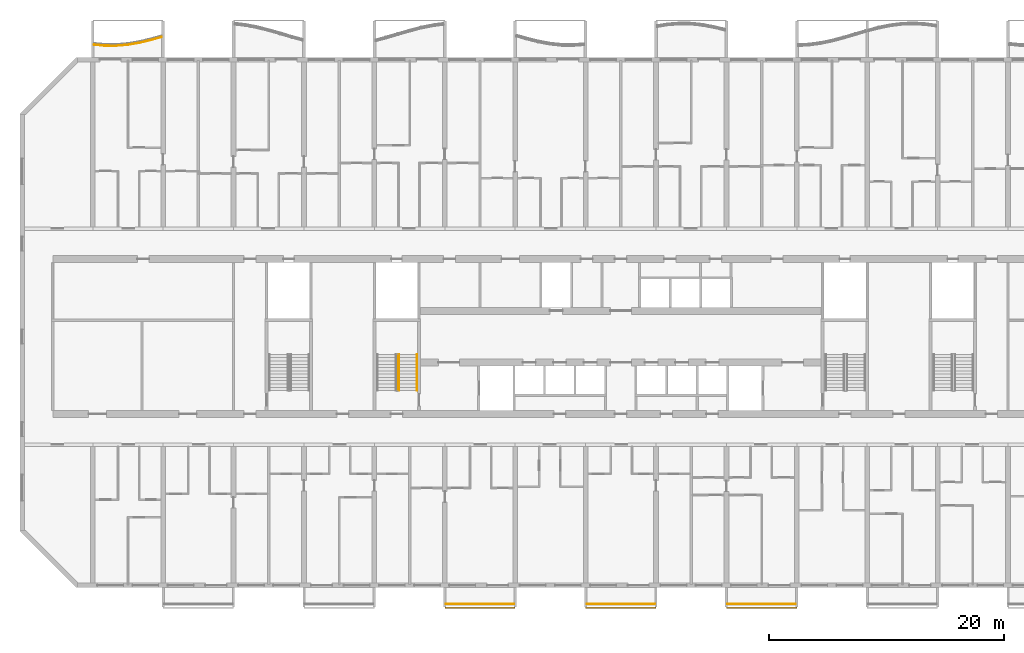
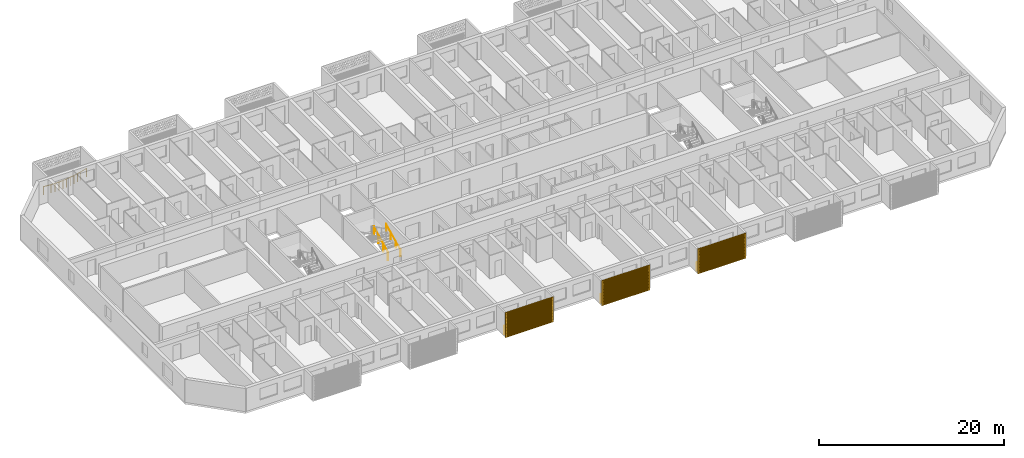
# One storey, part 20 of 38: 6 railings, 3 shading devices.
"""IFC4 building model written with IfcOpenShell, lengths in metres."""

from ifc_helpers import new_model, si_unit, direction, frame, origin, origin_2d, place, context, subcontext, project, spatial, polyline, circle, outline, extrude, source, transform, mapped, material, material_profile, profile_set, type_object, element, save


model = new_model("IFC4")

# Units and contexts
model_context = context("Model", 3, precision=1e-05, world=origin(), true_north=direction((0.0, 1.0)))
body_context = subcontext(model_context, "Body", "Model", "MODEL_VIEW")
ifc_project = project(units=[si_unit("LENGTHUNIT", "METRE"), si_unit("AREAUNIT", "SQUARE_METRE"), si_unit("VOLUMEUNIT", "CUBIC_METRE"), si_unit("PLANEANGLEUNIT", "RADIAN"), si_unit("MASSUNIT", "GRAM", prefix="KILO")], contexts=[model_context])

# Site, building, storey
site_placement = place(None, origin())
site = spatial("IfcSite", under=ifc_project, at=site_placement, CompositionType="ELEMENT")
building_placement = place(site_placement, origin())
building = spatial("IfcBuilding", under=site, at=building_placement, Name="Poui Terraces", CompositionType="ELEMENT")
storey_placement = place(building_placement, frame((0.0, 0.0, 46.5)))
storey = spatial("IfcBuildingStorey", under=building, at=storey_placement, Name="L12", CompositionType="ELEMENT", Elevation=46.5)

# Railings
ifc_material_1 = material(Name="Painted steel fretwork", Category="steel")
railing_type_1 = type_object("IfcRailingType", Name="BALCONY GUARD 1100", PredefinedType="GUARDRAIL", material=ifc_material_1)
railing_1_placement = place(storey_placement, frame((6.125, 46.0703125, 0.0)))
element("IfcRailing", 1, at=railing_1_placement, inside=storey, type_object=railing_type_1, Name="BALCONY GUARD", PredefinedType="GUARDRAIL", context=body_context, shape_type="SweptSolid", body=[
    extrude(circle(Radius=0.02392578125, at=origin_2d()), frame((0.0, 0.0, 1.076171875), z_axis=(0.995425298545, -0.095543053209, 0.0), x_axis=(0.095543053209, 0.995425298545, 0.0)), (0.0, 0.0, 1.0), 0.87890625),
    extrude(circle(Radius=0.02392578125, at=origin_2d()), frame((0.875, -0.083984375, 1.076171875), z_axis=(0.999967546851, -0.008056379162, 0.0), x_axis=(0.008056379162, 0.999967546851, 0.0)), (0.0, 0.0, 1.0), 1.0),
    extrude(circle(Radius=0.02392578125, at=origin_2d()), frame((1.875, -0.092041015625, 1.076171875), z_axis=(0.996286084847, 0.086104803231, 0.0), x_axis=(-0.086104803231, 0.996286084847, 0.0)), (0.0, 0.0, 1.0), 1.003662109375),
    extrude(circle(Radius=0.02392578125, at=origin_2d()), frame((2.875, -0.005615234375, 1.076171875), z_axis=(0.98554889076, 0.169391215599, 0.0), x_axis=(-0.169391215599, 0.98554889076, 0.0)), (0.0, 0.0, 1.0), 1.0146484375),
    extrude(circle(Radius=0.02392578125, at=origin_2d()), frame((3.875, 0.166259765625, 1.076171875), z_axis=(0.972443304839, 0.233139483729, 0.0), x_axis=(-0.233139483729, 0.972443304839, 0.0)), (0.0, 0.0, 1.0), 1.0283203125),
    extrude(circle(Radius=0.02392578125, at=origin_2d()), frame((4.875, 0.406005859375, 1.076171875), z_axis=(0.962720918379, 0.270496641966, 0.0), x_axis=(-0.270496641966, 0.962720918379, 0.0)), (0.0, 0.0, 1.0), 0.908935546875),
    extrude(circle(Radius=0.02099609375, at=origin_2d()), origin(), (0.0, 0.0, 1.0), 1.052001953125),
    extrude(circle(Radius=0.02099609375, at=origin_2d()), frame((0.875, -0.083984375, 0.0)), (0.0, 0.0, 1.0), 1.052001953125),
    extrude(circle(Radius=0.02099609375, at=origin_2d()), frame((1.375, -0.087890625, 0.0)), (0.0, 0.0, 1.0), 1.052001953125),
    extrude(circle(Radius=0.02099609375, at=origin_2d()), frame((1.875, -0.092041015625, 0.0)), (0.0, 0.0, 1.0), 1.052001953125),
    extrude(circle(Radius=0.02099609375, at=origin_2d()), frame((2.375, -0.048828125, 0.0)), (0.0, 0.0, 1.0), 1.052001953125),
    extrude(circle(Radius=0.02099609375, at=origin_2d()), frame((2.875, -0.005615234375, 0.0)), (0.0, 0.0, 1.0), 1.052001953125),
    extrude(circle(Radius=0.02099609375, at=origin_2d()), frame((3.375, 0.080322265625, 0.0)), (0.0, 0.0, 1.0), 1.052001953125),
    extrude(circle(Radius=0.02099609375, at=origin_2d()), frame((3.875, 0.166259765625, 0.0)), (0.0, 0.0, 1.0), 1.052001953125),
    extrude(circle(Radius=0.02099609375, at=origin_2d()), frame((4.375, 0.2861328125, 0.0)), (0.0, 0.0, 1.0), 1.052001953125),
    extrude(circle(Radius=0.02099609375, at=origin_2d()), frame((4.875, 0.406005859375, 0.0)), (0.0, 0.0, 1.0), 1.052001953125),
    extrude(circle(Radius=0.02099609375, at=origin_2d()), frame((5.75, 0.65185546875, 0.0)), (0.0, 0.0, 1.0), 1.052001953125),
])
for number, where, name in (
    (2, (36.10009765625, -1.570068359375, 0.0), "BALCONY GUARD"),
    (3, (48.10009765625, -1.570068359375, 0.0), "BALCONY GUARD"),
    (4, (60.10009765625, -1.570068359375, 0.0), "BALCONY GUARD"),
):
    element("IfcRailing", number, at=place(storey_placement, frame(where)), inside=storey, type_object=railing_type_1, Name=name, PredefinedType="GUARDRAIL", context=body_context, shape_type="SweptSolid", body=[
        extrude(circle(Radius=0.02392578125, at=origin_2d()), frame((0.0, 0.0, 1.076171875), z_axis=(1.0, 0.0, 0.0), x_axis=(0.0, 1.0, 0.0)), (0.0, 0.0, 1.0), 5.7998046875),
        extrude(circle(Radius=0.02099609375, at=origin_2d()), origin(), (0.0, 0.0, 1.0), 1.052001953125),
        extrude(circle(Radius=0.02099609375, at=origin_2d()), frame((0.966552734375, 0.0, 0.0)), (0.0, 0.0, 1.0), 1.052001953125),
        extrude(circle(Radius=0.02099609375, at=origin_2d()), frame((1.933349609375, 0.0, 0.0)), (0.0, 0.0, 1.0), 1.052001953125),
        extrude(circle(Radius=0.02099609375, at=origin_2d()), frame((2.89990234375, 0.0, 0.0)), (0.0, 0.0, 1.0), 1.052001953125),
        extrude(circle(Radius=0.02099609375, at=origin_2d()), frame((3.866455078125, 0.0, 0.0)), (0.0, 0.0, 1.0), 1.052001953125),
        extrude(circle(Radius=0.02099609375, at=origin_2d()), frame((4.833251953125, 0.0, 0.0)), (0.0, 0.0, 1.0), 1.052001953125),
        extrude(circle(Radius=0.02099609375, at=origin_2d()), frame((5.7998046875, 0.0, 0.0)), (0.0, 0.0, 1.0), 1.052001953125),
    ])
ifc_material_2 = material(Name="Galvanised steel balustrade", Category="steel")
railing_type_2 = type_object("IfcRailingType", Name="STAIR GUARD 1100", PredefinedType="GUARDRAIL", material=ifc_material_2)
railing_2_placement = place(storey_placement, frame((32.074951171875, 16.60009765625, 0.137451171875)))
element("IfcRailing", 5, at=railing_2_placement, inside=storey, type_object=railing_type_2, Name="L12 ST-CW stair guard 1", PredefinedType="GUARDRAIL", context=body_context, shape_type="SweptSolid", body=[
    extrude(circle(Radius=0.02392578125, at=origin_2d()), frame((0.0, 0.0, 1.076171875), z_axis=(0.0, 0.897606190399, 0.440798283751), x_axis=(-1.0, 0.0, 0.0)), (0.0, 0.0, 1.0), 3.43115234375),
    extrude(circle(Radius=0.02099609375, at=origin_2d()), origin(), (0.0, 0.0, 1.0), 1.052001953125),
    extrude(circle(Radius=0.02099609375, at=origin_2d()), frame((0.0, 1.026611328125, 0.504150390625)), (0.0, 0.0, 1.0), 1.052001953125),
    extrude(circle(Radius=0.02099609375, at=origin_2d()), frame((0.0, 2.05322265625, 1.00830078125)), (0.0, 0.0, 1.0), 1.052001953125),
    extrude(circle(Radius=0.02099609375, at=origin_2d()), frame((0.0, 3.079833984375, 1.512451171875)), (0.0, 0.0, 1.0), 1.052001953125),
])
ifc_material_3 = material(Name="Stainless steel handrail", Category="steel")
railing_type_3 = type_object("IfcRailingType", Name="STAIR HANDRAIL 900", PredefinedType="HANDRAIL", material=ifc_material_3)
railing_3_placement = place(storey_placement, frame((33.625, 16.60009765625, 0.137451171875)))
element("IfcRailing", 6, at=railing_3_placement, inside=storey, type_object=railing_type_3, Name="L12 ST-CW stair handrail 1", PredefinedType="HANDRAIL", context=body_context, shape_type="SweptSolid", body=[
    extrude(circle(Radius=0.02392578125, at=origin_2d()), frame((0.0, 0.0, 0.8759765625), z_axis=(0.0, 0.897606190399, 0.440798283751), x_axis=(-1.0, 0.0, 0.0)), (0.0, 0.0, 1.0), 3.43115234375),
    extrude(circle(Radius=0.02099609375, at=origin_2d()), origin(), (0.0, 0.0, 1.0), 0.851806640625),
    extrude(circle(Radius=0.02099609375, at=origin_2d()), frame((0.0, 1.026611328125, 0.504150390625)), (0.0, 0.0, 1.0), 0.851806640625),
    extrude(circle(Radius=0.02099609375, at=origin_2d()), frame((0.0, 2.05322265625, 1.00830078125)), (0.0, 0.0, 1.0), 0.851806640625),
    extrude(circle(Radius=0.02099609375, at=origin_2d()), frame((0.0, 3.079833984375, 1.512451171875)), (0.0, 0.0, 1.0), 0.851806640625),
])

# Shading devices
ifc_material_4 = material(Name="Aluminium louvre", Category="aluminium")
ifc_material_profile = material_profile(ifc_material_4, outline(polyline([(-3.0, -1.64990234375), (3.0, -1.64990234375), (3.0, 1.64990234375), (-3.0, 1.64990234375), (-3.0, -1.64990234375)]), holes=[polyline([(-2.800048828125, -1.530029296875), (2.800048828125, -1.530029296875), (2.800048828125, -1.469970703125), (-2.800048828125, -1.469970703125), (-2.800048828125, -1.530029296875)]), polyline([(-2.800048828125, -1.429931640625), (2.800048828125, -1.429931640625), (2.800048828125, -1.3701171875), (-2.800048828125, -1.3701171875), (-2.800048828125, -1.429931640625)]), polyline([(-2.800048828125, -1.330078125), (2.800048828125, -1.330078125), (2.800048828125, -1.27001953125), (-2.800048828125, -1.27001953125), (-2.800048828125, -1.330078125)]), polyline([(-2.800048828125, -1.22998046875), (2.800048828125, -1.22998046875), (2.800048828125, -1.169921875), (-2.800048828125, -1.169921875), (-2.800048828125, -1.22998046875)]), polyline([(-2.800048828125, -1.1298828125), (2.800048828125, -1.1298828125), (2.800048828125, -1.070068359375), (-2.800048828125, -1.070068359375), (-2.800048828125, -1.1298828125)]), polyline([(-2.800048828125, -1.030029296875), (2.800048828125, -1.030029296875), (2.800048828125, -0.969970703125), (-2.800048828125, -0.969970703125), (-2.800048828125, -1.030029296875)]), polyline([(-2.800048828125, -0.929931640625), (2.800048828125, -0.929931640625), (2.800048828125, -0.8701171875), (-2.800048828125, -0.8701171875), (-2.800048828125, -0.929931640625)]), polyline([(-2.800048828125, -0.830078125), (2.800048828125, -0.830078125), (2.800048828125, -0.77001953125), (-2.800048828125, -0.77001953125), (-2.800048828125, -0.830078125)]), polyline([(-2.800048828125, -0.72998046875), (2.800048828125, -0.72998046875), (2.800048828125, -0.669921875), (-2.800048828125, -0.669921875), (-2.800048828125, -0.72998046875)]), polyline([(-2.800048828125, -0.6298828125), (2.800048828125, -0.6298828125), (2.800048828125, -0.570068359375), (-2.800048828125, -0.570068359375), (-2.800048828125, -0.6298828125)]), polyline([(-2.800048828125, -0.530029296875), (2.800048828125, -0.530029296875), (2.800048828125, -0.469970703125), (-2.800048828125, -0.469970703125), (-2.800048828125, -0.530029296875)]), polyline([(-2.800048828125, -0.429931640625), (2.800048828125, -0.429931640625), (2.800048828125, -0.3701171875), (-2.800048828125, -0.3701171875), (-2.800048828125, -0.429931640625)]), polyline([(-2.800048828125, -0.330078125), (2.800048828125, -0.330078125), (2.800048828125, -0.27001953125), (-2.800048828125, -0.27001953125), (-2.800048828125, -0.330078125)]), polyline([(-2.800048828125, -0.22998046875), (2.800048828125, -0.22998046875), (2.800048828125, -0.169921875), (-2.800048828125, -0.169921875), (-2.800048828125, -0.22998046875)]), polyline([(-2.800048828125, -0.1298828125), (2.800048828125, -0.1298828125), (2.800048828125, -0.070068359375), (-2.800048828125, -0.070068359375), (-2.800048828125, -0.1298828125)]), polyline([(-2.800048828125, -0.030029296875), (2.800048828125, -0.030029296875), (2.800048828125, 0.030029296875), (-2.800048828125, 0.030029296875), (-2.800048828125, -0.030029296875)]), polyline([(-2.800048828125, 0.070068359375), (2.800048828125, 0.070068359375), (2.800048828125, 0.1298828125), (-2.800048828125, 0.1298828125), (-2.800048828125, 0.070068359375)]), polyline([(-2.800048828125, 0.169921875), (2.800048828125, 0.169921875), (2.800048828125, 0.22998046875), (-2.800048828125, 0.22998046875), (-2.800048828125, 0.169921875)]), polyline([(-2.800048828125, 0.27001953125), (2.800048828125, 0.27001953125), (2.800048828125, 0.330078125), (-2.800048828125, 0.330078125), (-2.800048828125, 0.27001953125)]), polyline([(-2.800048828125, 0.3701171875), (2.800048828125, 0.3701171875), (2.800048828125, 0.429931640625), (-2.800048828125, 0.429931640625), (-2.800048828125, 0.3701171875)]), polyline([(-2.800048828125, 0.469970703125), (2.800048828125, 0.469970703125), (2.800048828125, 0.530029296875), (-2.800048828125, 0.530029296875), (-2.800048828125, 0.469970703125)]), polyline([(-2.800048828125, 0.570068359375), (2.800048828125, 0.570068359375), (2.800048828125, 0.6298828125), (-2.800048828125, 0.6298828125), (-2.800048828125, 0.570068359375)]), polyline([(-2.800048828125, 0.669921875), (2.800048828125, 0.669921875), (2.800048828125, 0.72998046875), (-2.800048828125, 0.72998046875), (-2.800048828125, 0.669921875)]), polyline([(-2.800048828125, 0.77001953125), (2.800048828125, 0.77001953125), (2.800048828125, 0.830078125), (-2.800048828125, 0.830078125), (-2.800048828125, 0.77001953125)]), polyline([(-2.800048828125, 0.8701171875), (2.800048828125, 0.8701171875), (2.800048828125, 0.929931640625), (-2.800048828125, 0.929931640625), (-2.800048828125, 0.8701171875)]), polyline([(-2.800048828125, 0.969970703125), (2.800048828125, 0.969970703125), (2.800048828125, 1.030029296875), (-2.800048828125, 1.030029296875), (-2.800048828125, 0.969970703125)]), polyline([(-2.800048828125, 1.070068359375), (2.800048828125, 1.070068359375), (2.800048828125, 1.1298828125), (-2.800048828125, 1.1298828125), (-2.800048828125, 1.070068359375)]), polyline([(-2.800048828125, 1.169921875), (2.800048828125, 1.169921875), (2.800048828125, 1.22998046875), (-2.800048828125, 1.22998046875), (-2.800048828125, 1.169921875)]), polyline([(-2.800048828125, 1.27001953125), (2.800048828125, 1.27001953125), (2.800048828125, 1.330078125), (-2.800048828125, 1.330078125), (-2.800048828125, 1.27001953125)]), polyline([(-2.800048828125, 1.3701171875), (2.800048828125, 1.3701171875), (2.800048828125, 1.429931640625), (-2.800048828125, 1.429931640625), (-2.800048828125, 1.3701171875)]), polyline([(-2.800048828125, 1.469970703125), (2.800048828125, 1.469970703125), (2.800048828125, 1.530029296875), (-2.800048828125, 1.530029296875), (-2.800048828125, 1.469970703125)])]), Name="JALOUSIE LOUVRE SHUTTER 6000X3300")
ifc_profile_set = profile_set([ifc_material_profile], Name="Aluminium louvre")
shading_device_type = type_object("IfcShadingDeviceType", Name="JALOUSIE LOUVRE SHUTTER 6000X3300", PredefinedType="JALOUSIE", material=ifc_profile_set)
shared_shape = source(origin(), body_context, "Body", "SweptSolid", [
    extrude(outline(polyline([(-3.0, -1.64990234375), (3.0, -1.64990234375), (3.0, 1.64990234375), (-3.0, 1.64990234375), (-3.0, -1.64990234375)]), holes=[polyline([(-2.800048828125, -1.530029296875), (2.800048828125, -1.530029296875), (2.800048828125, -1.469970703125), (-2.800048828125, -1.469970703125), (-2.800048828125, -1.530029296875)]), polyline([(-2.800048828125, -1.429931640625), (2.800048828125, -1.429931640625), (2.800048828125, -1.3701171875), (-2.800048828125, -1.3701171875), (-2.800048828125, -1.429931640625)]), polyline([(-2.800048828125, -1.330078125), (2.800048828125, -1.330078125), (2.800048828125, -1.27001953125), (-2.800048828125, -1.27001953125), (-2.800048828125, -1.330078125)]), polyline([(-2.800048828125, -1.22998046875), (2.800048828125, -1.22998046875), (2.800048828125, -1.169921875), (-2.800048828125, -1.169921875), (-2.800048828125, -1.22998046875)]), polyline([(-2.800048828125, -1.1298828125), (2.800048828125, -1.1298828125), (2.800048828125, -1.070068359375), (-2.800048828125, -1.070068359375), (-2.800048828125, -1.1298828125)]), polyline([(-2.800048828125, -1.030029296875), (2.800048828125, -1.030029296875), (2.800048828125, -0.969970703125), (-2.800048828125, -0.969970703125), (-2.800048828125, -1.030029296875)]), polyline([(-2.800048828125, -0.929931640625), (2.800048828125, -0.929931640625), (2.800048828125, -0.8701171875), (-2.800048828125, -0.8701171875), (-2.800048828125, -0.929931640625)]), polyline([(-2.800048828125, -0.830078125), (2.800048828125, -0.830078125), (2.800048828125, -0.77001953125), (-2.800048828125, -0.77001953125), (-2.800048828125, -0.830078125)]), polyline([(-2.800048828125, -0.72998046875), (2.800048828125, -0.72998046875), (2.800048828125, -0.669921875), (-2.800048828125, -0.669921875), (-2.800048828125, -0.72998046875)]), polyline([(-2.800048828125, -0.6298828125), (2.800048828125, -0.6298828125), (2.800048828125, -0.570068359375), (-2.800048828125, -0.570068359375), (-2.800048828125, -0.6298828125)]), polyline([(-2.800048828125, -0.530029296875), (2.800048828125, -0.530029296875), (2.800048828125, -0.469970703125), (-2.800048828125, -0.469970703125), (-2.800048828125, -0.530029296875)]), polyline([(-2.800048828125, -0.429931640625), (2.800048828125, -0.429931640625), (2.800048828125, -0.3701171875), (-2.800048828125, -0.3701171875), (-2.800048828125, -0.429931640625)]), polyline([(-2.800048828125, -0.330078125), (2.800048828125, -0.330078125), (2.800048828125, -0.27001953125), (-2.800048828125, -0.27001953125), (-2.800048828125, -0.330078125)]), polyline([(-2.800048828125, -0.22998046875), (2.800048828125, -0.22998046875), (2.800048828125, -0.169921875), (-2.800048828125, -0.169921875), (-2.800048828125, -0.22998046875)]), polyline([(-2.800048828125, -0.1298828125), (2.800048828125, -0.1298828125), (2.800048828125, -0.070068359375), (-2.800048828125, -0.070068359375), (-2.800048828125, -0.1298828125)]), polyline([(-2.800048828125, -0.030029296875), (2.800048828125, -0.030029296875), (2.800048828125, 0.030029296875), (-2.800048828125, 0.030029296875), (-2.800048828125, -0.030029296875)]), polyline([(-2.800048828125, 0.070068359375), (2.800048828125, 0.070068359375), (2.800048828125, 0.1298828125), (-2.800048828125, 0.1298828125), (-2.800048828125, 0.070068359375)]), polyline([(-2.800048828125, 0.169921875), (2.800048828125, 0.169921875), (2.800048828125, 0.22998046875), (-2.800048828125, 0.22998046875), (-2.800048828125, 0.169921875)]), polyline([(-2.800048828125, 0.27001953125), (2.800048828125, 0.27001953125), (2.800048828125, 0.330078125), (-2.800048828125, 0.330078125), (-2.800048828125, 0.27001953125)]), polyline([(-2.800048828125, 0.3701171875), (2.800048828125, 0.3701171875), (2.800048828125, 0.429931640625), (-2.800048828125, 0.429931640625), (-2.800048828125, 0.3701171875)]), polyline([(-2.800048828125, 0.469970703125), (2.800048828125, 0.469970703125), (2.800048828125, 0.530029296875), (-2.800048828125, 0.530029296875), (-2.800048828125, 0.469970703125)]), polyline([(-2.800048828125, 0.570068359375), (2.800048828125, 0.570068359375), (2.800048828125, 0.6298828125), (-2.800048828125, 0.6298828125), (-2.800048828125, 0.570068359375)]), polyline([(-2.800048828125, 0.669921875), (2.800048828125, 0.669921875), (2.800048828125, 0.72998046875), (-2.800048828125, 0.72998046875), (-2.800048828125, 0.669921875)]), polyline([(-2.800048828125, 0.77001953125), (2.800048828125, 0.77001953125), (2.800048828125, 0.830078125), (-2.800048828125, 0.830078125), (-2.800048828125, 0.77001953125)]), polyline([(-2.800048828125, 0.8701171875), (2.800048828125, 0.8701171875), (2.800048828125, 0.929931640625), (-2.800048828125, 0.929931640625), (-2.800048828125, 0.8701171875)]), polyline([(-2.800048828125, 0.969970703125), (2.800048828125, 0.969970703125), (2.800048828125, 1.030029296875), (-2.800048828125, 1.030029296875), (-2.800048828125, 0.969970703125)]), polyline([(-2.800048828125, 1.070068359375), (2.800048828125, 1.070068359375), (2.800048828125, 1.1298828125), (-2.800048828125, 1.1298828125), (-2.800048828125, 1.070068359375)]), polyline([(-2.800048828125, 1.169921875), (2.800048828125, 1.169921875), (2.800048828125, 1.22998046875), (-2.800048828125, 1.22998046875), (-2.800048828125, 1.169921875)]), polyline([(-2.800048828125, 1.27001953125), (2.800048828125, 1.27001953125), (2.800048828125, 1.330078125), (-2.800048828125, 1.330078125), (-2.800048828125, 1.27001953125)]), polyline([(-2.800048828125, 1.3701171875), (2.800048828125, 1.3701171875), (2.800048828125, 1.429931640625), (-2.800048828125, 1.429931640625), (-2.800048828125, 1.3701171875)]), polyline([(-2.800048828125, 1.469970703125), (2.800048828125, 1.469970703125), (2.800048828125, 1.530029296875), (-2.800048828125, 1.530029296875), (-2.800048828125, 1.469970703125)])]), origin(), (0.0, 0.0, 1.0), 0.099853515625),
])
for number, where, z_axis, x_axis, name in (
    (7, (39.0, -1.85009765625, 1.449951171875), (0.0, -1.0, 0.0), (1.0, 0.0, 0.0), "JALOUSIE LOUVRE SHUTTER"),
    (8, (51.0, -1.85009765625, 1.449951171875), (0.0, -1.0, 0.0), (1.0, 0.0, 0.0), "JALOUSIE LOUVRE SHUTTER"),
    (9, (63.0, -1.85009765625, 1.449951171875), (0.0, -1.0, 0.0), (1.0, 0.0, 0.0), "JALOUSIE LOUVRE SHUTTER"),
):
    element("IfcShadingDevice", number, at=place(storey_placement, frame(where, z_axis=z_axis, x_axis=x_axis)), inside=storey, type_object=shading_device_type, Name=name, PredefinedType="JALOUSIE", context=body_context, shape_type="MappedRepresentation", body=[
        mapped(shared_shape, transform((0.0, 0.0, 0.0))),
    ])

save(model, "model.ifc")
